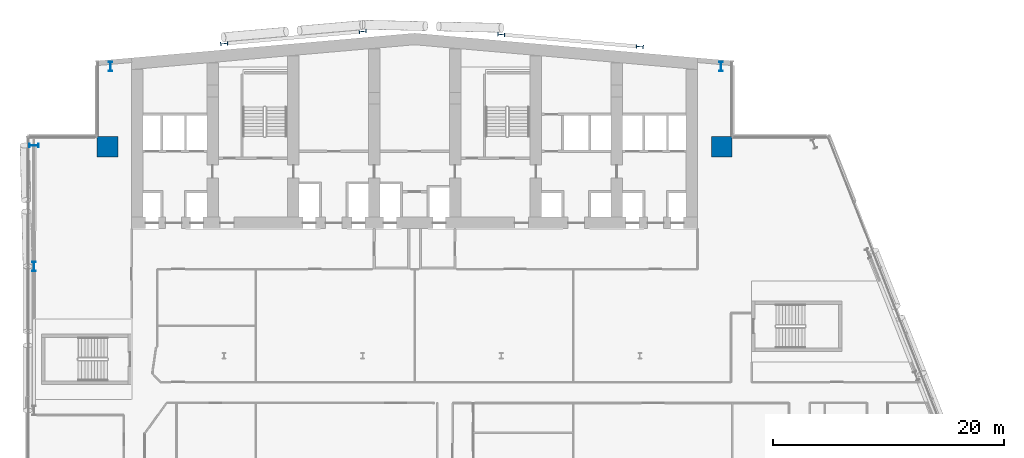
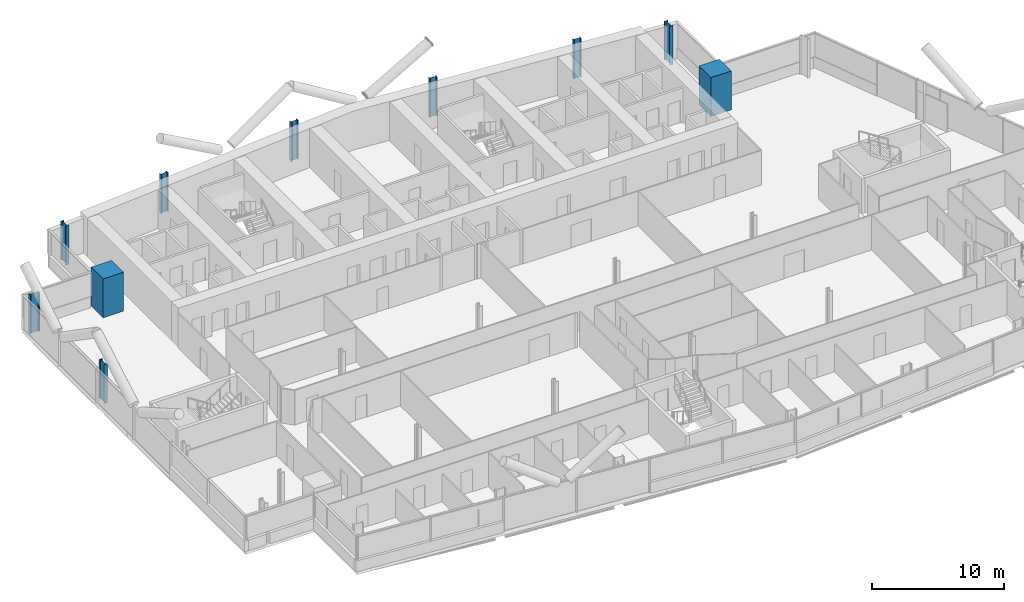
# One storey, part 3 of 28: 10 columns.
"""IFC4 building model written with IfcOpenShell, lengths in metres."""

from ifc_helpers import new_model, si_unit, direction, frame, origin, origin_2d, place, context, subcontext, project, spatial, rectangle, i_section, extrude, material, material_profile, profile_set, type_object, element, save


model = new_model("IFC4")

# Units and contexts
model_context = context("Model", 3, precision=1e-05, world=origin(), true_north=direction((0.0, 1.0)))
body_context = subcontext(model_context, "Body", "Model", "MODEL_VIEW")
ifc_project = project(units=[si_unit("LENGTHUNIT", "METRE"), si_unit("AREAUNIT", "SQUARE_METRE"), si_unit("VOLUMEUNIT", "CUBIC_METRE"), si_unit("PLANEANGLEUNIT", "RADIAN"), si_unit("MASSUNIT", "GRAM", prefix="KILO")], contexts=[model_context])

# Site, building, storey
site_placement = place(None, origin())
site = spatial("IfcSite", under=ifc_project, at=site_placement, CompositionType="ELEMENT")
building_placement = place(site_placement, origin())
building = spatial("IfcBuilding", under=site, at=building_placement, Name="Wharfspan Tower", CompositionType="ELEMENT")
storey_placement = place(building_placement, frame((0.0, 0.0, 132.699951)))
storey = spatial("IfcBuildingStorey", under=building, at=storey_placement, Name="L31", CompositionType="ELEMENT", Elevation=132.699951)

# Columns
ifc_material_1 = material(Name="Steel S355J2", Category="steel")
ifc_material_profile_1 = material_profile(ifc_material_1, i_section(OverallWidth=0.304932, OverallDepth=0.620117, WebThickness=0.020996, FlangeThickness=0.040039, FilletRadius=0.0271, at=origin_2d()))
ifc_profile_set_1 = profile_set([ifc_material_profile_1], Name="Steel S355J2")
column_type_1 = type_object("IfcColumnType", Name="Column HEM 600", PredefinedType="COLUMN", material=ifc_profile_set_1)
for number, where, z_axis, x_axis, name in (
    (1, (24.0, 50.027344, 0.0), (0.0, 0.0, 1.0), (-0.087156, 0.996198, 0.0), "Rear column R.1 L31"),
    (2, (36.0, 51.077148, 0.0), (0.0, 0.0, 1.0), (-0.087156, 0.996198, 0.0), "Rear column R.2 L31"),
    (3, (48.0, 50.814697, 0.0), (0.0, 0.0, 1.0), (0.087156, 0.996198, 0.0), "Rear column R.3 L31"),
    (4, (60.0, 49.764893, 0.0), (0.0, 0.0, 1.0), (0.087156, 0.996198, 0.0), "Rear column R.4 L31"),
):
    element("IfcColumn", number, at=place(storey_placement, frame(where, z_axis=z_axis, x_axis=x_axis)), inside=storey, type_object=column_type_1, Name=name, PredefinedType="COLUMN", context=body_context, shape_type="SweptSolid", body=[
        extrude(i_section(OverallWidth=0.304932, OverallDepth=0.620117, WebThickness=0.020996, FlangeThickness=0.040039, FilletRadius=0.0271, at=origin_2d()), origin(), (0.0, 0.0, 1.0), 3.600098),
    ])
ifc_material_profile_2 = material_profile(ifc_material_1, i_section(OverallWidth=0.302979, OverallDepth=0.813965, WebThickness=0.020996, FlangeThickness=0.040039, FilletRadius=0.030029, at=origin_2d()))
ifc_profile_set_2 = profile_set([ifc_material_profile_2], Name="Steel S355J2")
column_type_2 = type_object("IfcColumnType", Name="Column HEM 800", PredefinedType="COLUMN", material=ifc_profile_set_2)
for number, where, z_axis, x_axis, name in (
    (5, (67.031982, 48.035645, 0.0), (0.0, 0.0, 1.0), (1.0, 0.0, 0.0), "Perimeter column PNRE-V.1 L31"),
    (6, (14.171631, 48.03418, 0.0), (0.0, 0.0, 1.0), (-1.0, 0.0, 0.0), "Perimeter column PNRW-V.1 L31"),
    (7, (7.544434, 41.208008, 0.0), (0.0, 0.0, 1.0), (0.0, 1.0, 0.0), "Perimeter column PNRW-H.1 L31"),
    (8, (7.540039, 30.733398, 0.0), (0.0, 0.0, 1.0), (-1.0, 0.0, 0.0), "Perimeter column PW.1 L31"),
):
    element("IfcColumn", number, at=place(storey_placement, frame(where, z_axis=z_axis, x_axis=x_axis)), inside=storey, type_object=column_type_2, Name=name, PredefinedType="COLUMN", context=body_context, shape_type="SweptSolid", body=[
        extrude(i_section(OverallWidth=0.302979, OverallDepth=0.813965, WebThickness=0.020996, FlangeThickness=0.040039, FilletRadius=0.030029, at=origin_2d()), origin(), (0.0, 0.0, 1.0), 3.600098),
    ])
ifc_material_2 = material(Name="Concrete C70/85", Category="concrete")
ifc_material_profile_3 = material_profile(ifc_material_2, rectangle(XDim=1.800049, YDim=1.800049, at=origin_2d()))
ifc_profile_set_3 = profile_set([ifc_material_profile_3], Name="Concrete C70/85")
column_type_3 = type_object("IfcColumnType", Name="Mega column 1800 C70/85", PredefinedType="COLUMN", material=ifc_profile_set_3)
for number, where, z_axis, x_axis, name in (
    (9, (13.899902, 41.100098, 0.0), (0.0, 0.0, 1.0), (1.0, 0.0, 0.0), "Mega column MC2 L31"),
    (10, (67.100098, 41.100098, 0.0), (0.0, 0.0, 1.0), (1.0, 0.0, 0.0), "Mega column MC3 L31"),
):
    element("IfcColumn", number, at=place(storey_placement, frame(where, z_axis=z_axis, x_axis=x_axis)), inside=storey, type_object=column_type_3, Name=name, PredefinedType="COLUMN", context=body_context, shape_type="SweptSolid", body=[
        extrude(rectangle(XDim=1.800049, YDim=1.800049, at=origin_2d()), origin(), (0.0, 0.0, 1.0), 3.600098),
    ])

save(model, "model.ifc")
